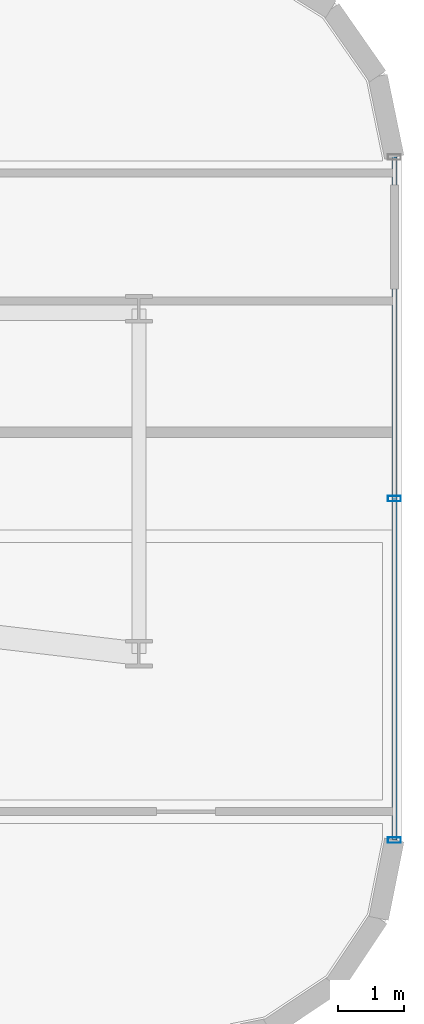
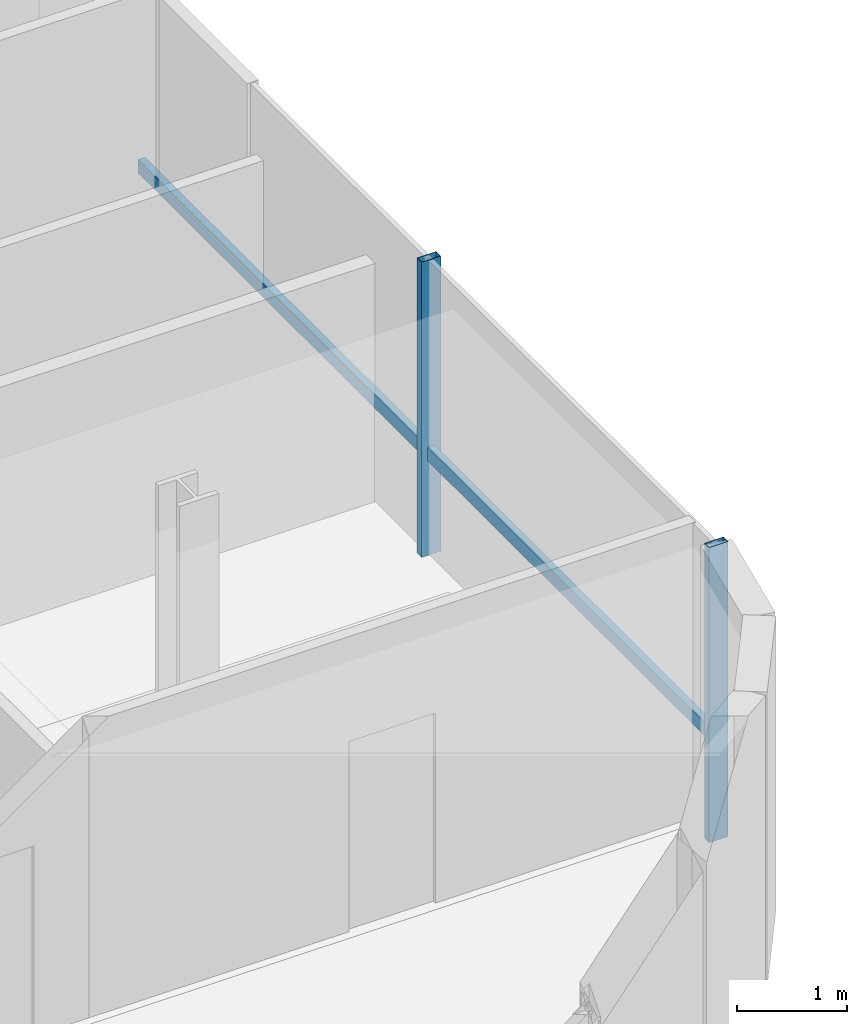
# One storey, part 11 of 23: 3 members, 1 element without a shape of its own.
"""IFC4 building model written with IfcOpenShell, lengths in metres."""

from ifc_helpers import new_model, si_unit, direction, frame, origin, origin_2d, place, context, subcontext, project, spatial, hollow_rectangle, extrude, source, transform, mapped, material, material_profile, profile_set, type_object, element, aggregate, save


model = new_model("IFC4")

# Units and contexts
model_context = context("Model", 3, precision=1e-05, world=origin(), true_north=direction((0.0, 1.0)))
body_context = subcontext(model_context, "Body", "Model", "MODEL_VIEW")
ifc_project = project(units=[si_unit("LENGTHUNIT", "METRE"), si_unit("AREAUNIT", "SQUARE_METRE"), si_unit("VOLUMEUNIT", "CUBIC_METRE"), si_unit("PLANEANGLEUNIT", "RADIAN"), si_unit("MASSUNIT", "GRAM", prefix="KILO")], contexts=[model_context])

# Site, building, storey
site_placement = place(None, origin())
site = spatial("IfcSite", under=ifc_project, at=site_placement, CompositionType="ELEMENT")
building_placement = place(site_placement, origin())
building = spatial("IfcBuilding", under=site, at=building_placement, Name="Valdorenza Pilgrim Sanctuary Tower", CompositionType="ELEMENT")
storey_placement = place(building_placement, frame((0.0, 0.0, 226.5)))
storey = spatial("IfcBuildingStorey", under=building, at=storey_placement, Name="L58", CompositionType="ELEMENT", Elevation=226.5)

# Curtain wall, members
ifc_material_1 = material(Name="Curtain-wall IGU glazing", Category="glass")
curtain_wall_type = type_object("IfcCurtainWallType", Name="CW-SYS-02", PredefinedType="NOTDEFINED", material=ifc_material_1)
curtain_wall_placement = place(storey_placement, origin())
curtain_wall = element("IfcCurtainWall", 1, at=curtain_wall_placement, inside=storey, type_object=curtain_wall_type, Name="L58 Curtain Wall CW-L58-1-11", PredefinedType="NOTDEFINED")
ifc_material_2 = material(Name="Anodised aluminium AW-6060", Category="aluminium")
ifc_material_profile_1 = material_profile(ifc_material_2, hollow_rectangle(XDim=0.0849609375, YDim=0.199951171875, WallThickness=0.0048828125, at=origin_2d()), Name="ALU-M 200x85x5")
ifc_profile_set_1 = profile_set([ifc_material_profile_1], Name="Anodised aluminium AW-6060")
member_type_1 = type_object("IfcMemberType", Name="CW-MUL-02", PredefinedType="MULLION", material=ifc_profile_set_1)
shared_shape_1 = source(origin(), body_context, "Body", "SweptSolid", [
    extrude(hollow_rectangle(XDim=0.0849609375, YDim=0.199951171875, WallThickness=0.0048828125, at=origin_2d()), origin(), (0.0, 0.0, 1.0), 3.260009765625),
])
member_1_placement = place(storey_placement, frame((0.389892578125, 11.9111328125, 0.0), z_axis=(0.0, 0.0, 1.0), x_axis=(0.0, -1.0, 0.0)))
member_1 = element("IfcMember", 2, at=member_1_placement, type_object=member_type_1, Name="CW-L58-1-11 Mullion 2", PredefinedType="MULLION", context=body_context, shape_type="MappedRepresentation", body=[
    mapped(shared_shape_1, transform((0.0, 0.0, 0.0), x_axis=(1.0, 0.0, 0.0), y_axis=(0.0, 1.0, 0.0), z_axis=(0.0, 0.0, 1.0), scale=1.0)),
])
member_2_placement = place(storey_placement, frame((0.389892578125, 6.710693359375, 0.0), z_axis=(0.0, 0.0, 1.0), x_axis=(0.0, -1.0, 0.0)))
member_2 = element("IfcMember", 3, at=member_2_placement, type_object=member_type_1, Name="CW-L58-1-11 Mullion 3", PredefinedType="MULLION", context=body_context, shape_type="MappedRepresentation", body=[
    mapped(shared_shape_1, transform((0.0, 0.0, 0.0), x_axis=(1.0, 0.0, 0.0), y_axis=(0.0, 1.0, 0.0), z_axis=(0.0, 0.0, 1.0), scale=1.0)),
])
ifc_material_profile_2 = material_profile(ifc_material_2, hollow_rectangle(XDim=0.074951171875, YDim=0.14990234375, WallThickness=0.00390625, at=origin_2d()), Name="ALU-T 150x75x4")
ifc_profile_set_2 = profile_set([ifc_material_profile_2], Name="Anodised aluminium AW-6060")
member_type_2 = type_object("IfcMemberType", Name="CW-TRN-02", PredefinedType="USERDEFINED", material=ifc_profile_set_2)
shared_shape_2 = source(origin(), body_context, "Body", "SweptSolid", [
    extrude(hollow_rectangle(XDim=0.074951171875, YDim=0.14990234375, WallThickness=0.00390625, at=origin_2d()), origin(), (0.0, 0.0, 1.0), 10.400634765625),
])
member_3_placement = place(storey_placement, frame((0.389892578125, 17.111328125, 1.1201171875), z_axis=(0.0, -1.0, 0.0), x_axis=(1.0, 0.0, 0.0)))
member_3 = element("IfcMember", 4, at=member_3_placement, type_object=member_type_2, Name="CW-L58-1-11 Transom 1", ObjectType="TRANSOM", PredefinedType="USERDEFINED", context=body_context, shape_type="MappedRepresentation", body=[
    mapped(shared_shape_2, transform((0.0, 0.0, 0.0), x_axis=(1.0, 0.0, 0.0), y_axis=(0.0, 1.0, 0.0), z_axis=(0.0, 0.0, 1.0), scale=1.0)),
])
aggregate(curtain_wall, [member_1, member_2, member_3])

save(model, "model.ifc")
